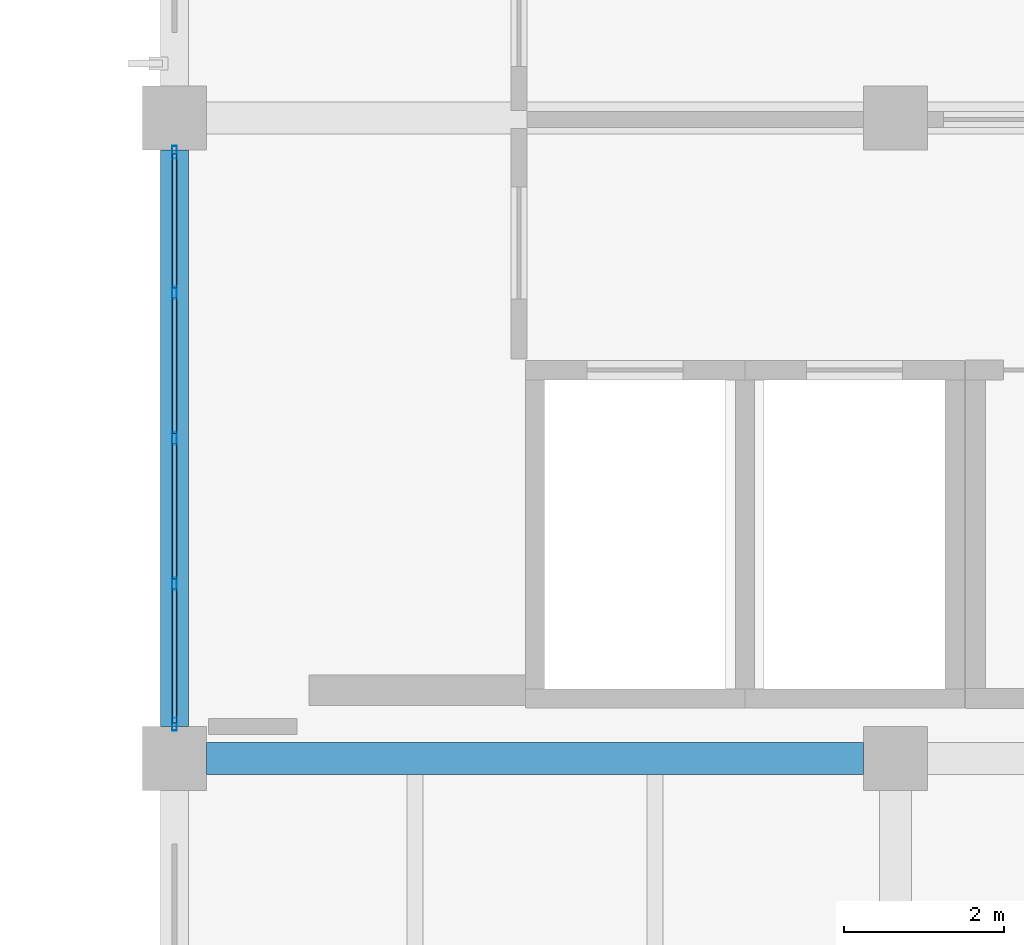
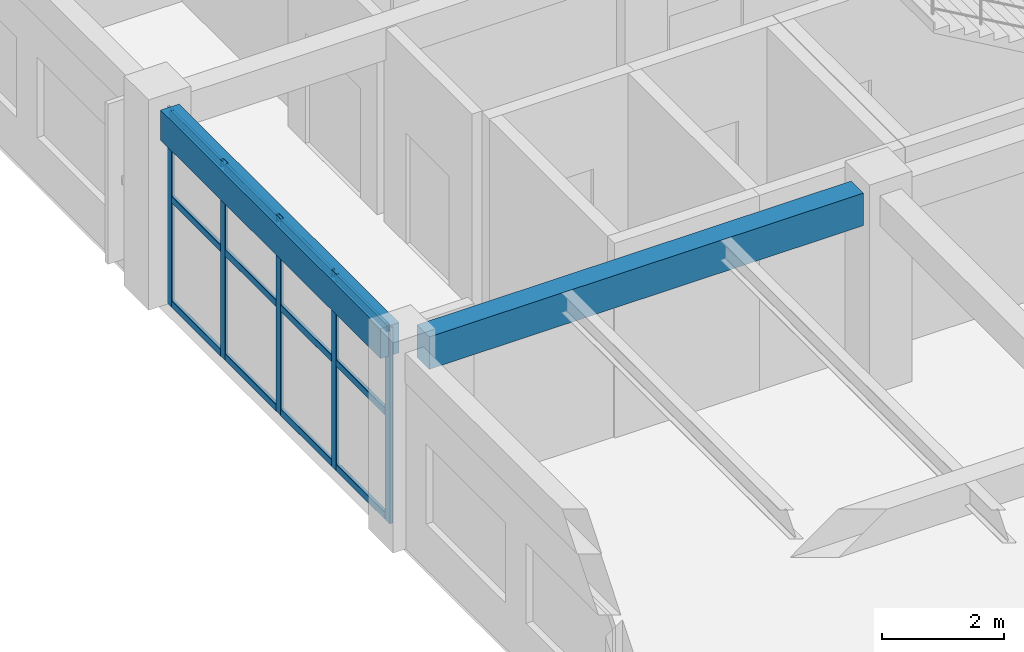
# One storey, part 96 of 148: 17 members, 2 beams, 1 element without a shape of its own.
"""IFC4 building model written with IfcOpenShell, lengths in metres."""

import ifcopenshell
import ifcopenshell.guid

model = None  # the IFC model being written
_history = None  # IfcOwnerHistory: only IFC2X3 demands one
_inside = {}  # id of a spatial element -> (the spatial element, [elements in it])
_under = {}  # id of a project, library or spatial element -> (it, [spatial elements below it])
_declared = {}  # id of a project -> (the project, [libraries it declares])
_typed = {}  # id of a type object -> (the type object, [elements of that type])
_made_of = {}  # id of a material, layer set ... -> (it, [elements and type objects made of it])


def new_model(schema):
    """Start an empty IFC model of exactly this schema.

    Asked for "IFC4X3", IfcOpenShell would pick the latest addendum, in which some entities
    have other attributes; the version numbers below select the first issue.
    IFC2X3 requires an IfcOwnerHistory on every rooted entity: one is made here for all.
    """
    global model, _history
    if schema == "IFC4X3":
        model = ifcopenshell.file(schema_version=(4, 3, 0, 0))
    else:
        model = ifcopenshell.file(schema=schema)
    _inside.clear()
    _under.clear()
    _declared.clear()
    _typed.clear()
    _made_of.clear()
    _history = None
    if model.schema == "IFC2X3":
        org = make("IfcOrganization", Name="unknown")
        user = make(
            "IfcPersonAndOrganization",
            ThePerson=make("IfcPerson", FamilyName="unknown"),
            TheOrganization=org,
        )
        app = make(
            "IfcApplication",
            ApplicationDeveloper=org,
            Version="unknown",
            ApplicationFullName="unknown",
            ApplicationIdentifier="unknown",
        )
        _history = make(
            "IfcOwnerHistory",
            OwningUser=user,
            OwningApplication=app,
            ChangeAction="ADDED",
            CreationDate=0,
        )
    return model


def make(cls, **values):
    """One entity of the class cls with the attributes given. An attribute that is None is left unset."""
    return model.create_entity(
        cls, **{name: value for name, value in values.items() if value is not None}
    )


def rooted(cls, **values):
    """An entity with a GlobalId (a new one), such as an element, a storey or a relation."""
    return make(cls, GlobalId=ifcopenshell.guid.new(), OwnerHistory=_history, **values)


def si_unit(unit_type, name, prefix=None):
    """IfcSIUnit, for example si_unit("LENGTHUNIT", "METRE", prefix="MILLI")."""
    return make("IfcSIUnit", UnitType=unit_type, Prefix=prefix, Name=name)


def derived_unit(unit_type, elements):
    """IfcDerivedUnit: a product of units, each with its exponent."""
    return make(
        "IfcDerivedUnit",
        Elements=[
            make("IfcDerivedUnitElement", Unit=unit, Exponent=power)
            for unit, power in elements
        ],
        UnitType=unit_type,
    )


def assignment(units):
    """IfcUnitAssignment: the units of a project."""
    return None if units is None else make("IfcUnitAssignment", Units=units)


def point(xyz):
    """IfcCartesianPoint."""
    return None if xyz is None else make("IfcCartesianPoint", Coordinates=xyz)


def direction(xyz):
    """IfcDirection."""
    return None if xyz is None else make("IfcDirection", DirectionRatios=xyz)


def frame(location, z_axis=None, x_axis=None):
    """IfcAxis2Placement3D, a coordinate frame: its origin and axes. An axis left out is left unset."""
    return make(
        "IfcAxis2Placement3D",
        Location=point(location),
        Axis=direction(z_axis),
        RefDirection=direction(x_axis),
    )


def frame_2d(location, x_axis=None):
    """IfcAxis2Placement2D, a coordinate frame in the plane: its origin and x axis."""
    return make(
        "IfcAxis2Placement2D", Location=point(location), RefDirection=direction(x_axis)
    )


def origin():
    """The frame at (0, 0, 0) with its axes left unset."""
    return frame((0.0, 0.0, 0.0))


def origin_2d():
    """The frame at (0, 0) in the plane with its x axis left unset."""
    return frame_2d((0.0, 0.0))


def place(relative_to, where):
    """IfcLocalPlacement: puts the frame where relative to a parent placement (None: the world)."""
    return make(
        "IfcLocalPlacement", PlacementRelTo=relative_to, RelativePlacement=where
    )


def context(
    kind, dimensions, precision=None, world=None, true_north=None, identifier=None
):
    """IfcGeometricRepresentationContext, for example the 3D "Model" context."""
    return make(
        "IfcGeometricRepresentationContext",
        ContextIdentifier=identifier,
        ContextType=kind,
        CoordinateSpaceDimension=dimensions,
        Precision=precision,
        WorldCoordinateSystem=world,
        TrueNorth=true_north,
    )


def subcontext(parent, identifier, kind, view, scale=None):
    """IfcGeometricRepresentationSubContext, for example "Body" below "Model"."""
    return make(
        "IfcGeometricRepresentationSubContext",
        ContextIdentifier=identifier,
        ContextType=kind,
        ParentContext=parent,
        TargetScale=scale,
        TargetView=view,
    )


def project(units=None, contexts=None):
    """IfcProject with its units and contexts."""
    return rooted(
        "IfcProject",
        Name="project",
        RepresentationContexts=contexts,
        UnitsInContext=assignment(units),
    )


def spatial(cls, under=None, at=None, **own):
    """A site, building, storey or space (cls), placed at a placement, below another one or the project."""
    s = rooted(cls, ObjectPlacement=at, **own)
    if under is not None:
        _under.setdefault(under.id(), (under, []))[1].append(s)
    return s


def profile(cls, at=None, kind="AREA", **sizes):
    """A parametric profile (cls). Its sizes go by their IFC names, for example OverallWidth=200.0."""
    return make(cls, ProfileType=kind, Position=at, **sizes)


def rectangle(**sizes):
    """IfcRectangleProfileDef."""
    return profile("IfcRectangleProfileDef", **sizes)


def hollow_rectangle(**sizes):
    """IfcRectangleHollowProfileDef."""
    return profile("IfcRectangleHollowProfileDef", **sizes)


def extrude(swept, where, along, depth):
    """IfcExtrudedAreaSolid: the profile swept, set in the frame where, extruded along a direction by depth."""
    return make(
        "IfcExtrudedAreaSolid",
        SweptArea=swept,
        Position=where,
        ExtrudedDirection=direction(along),
        Depth=depth,
    )


def shape(context_of_items, identifier, shape_type, items):
    """IfcShapeRepresentation: the items that make up one representation, for example the "Body"."""
    return make(
        "IfcShapeRepresentation",
        ContextOfItems=context_of_items,
        RepresentationIdentifier=identifier,
        RepresentationType=shape_type,
        Items=items,
    )


def material(Name=None, Category=None):
    """IfcMaterial."""
    return make("IfcMaterial", Name=Name, Category=Category)


def material_profile(
    of_material, cross_section, Name=None, Category=None, Priority=None
):
    """IfcMaterialProfile: a cross section and its material."""
    return make(
        "IfcMaterialProfile",
        Name=Name,
        Material=of_material,
        Profile=cross_section,
        Priority=Priority,
        Category=Category,
    )


def profile_set(profiles, Name=None, composite=None):
    """IfcMaterialProfileSet."""
    return make(
        "IfcMaterialProfileSet",
        Name=Name,
        MaterialProfiles=profiles,
        CompositeProfile=composite,
    )


def made_of(thing, what):
    """Note that an element or type object is made of a material, layer set ...; save() writes the relation."""
    if what is not None:
        _made_of.setdefault(what.id(), (what, []))[1].append(thing)
    return thing


def type_object(cls, material=None, **own):
    """A type object (cls), such as IfcWallType, which elements share."""
    return made_of(rooted(cls, **own), material)


def element(
    cls,
    number,
    at=None,
    inside=None,
    cuts=None,
    type_object=None,
    material=None,
    context=None,
    identifier="Body",
    shape_type=None,
    held_by="IfcProductDefinitionShape",
    body=None,
    shapes=None,
    **own,
):
    """One element of the class cls, such as IfcWall. Its Tag is "e" and its number.

    at: its placement. inside: the storey or other place that contains it. cuts: it is an
    opening in that element (IfcRelVoidsElement). A single representation is given by context,
    identifier, shape_type and body (its items); several are given by shapes. held_by: the class
    of the entity that holds the representations. save() writes the other relations.
    """
    e = rooted(cls, Tag="e%d" % number, ObjectPlacement=at, **own)
    if body is not None:
        shapes = [shape(context, identifier, shape_type, body)]
    if shapes is not None:
        e.Representation = make(held_by, Representations=shapes)
    if inside is not None:
        _inside.setdefault(inside.id(), (inside, []))[1].append(e)
    if cuts is not None:
        rooted(
            "IfcRelVoidsElement", RelatingBuildingElement=cuts, RelatedOpeningElement=e
        )
    if type_object is not None:
        _typed.setdefault(type_object.id(), (type_object, []))[1].append(e)
    return made_of(e, material)


def aggregate(whole, parts):
    """IfcRelAggregates: a whole, such as a stair, and the parts it consists of."""
    return rooted("IfcRelAggregates", RelatingObject=whole, RelatedObjects=parts)


def save(model, path):
    """Write the relations noted so far, then the file.

    IfcRelAggregates (storeys below a building ...), IfcRelContainedInSpatialStructure (elements
    in a storey), IfcRelDefinesByType, IfcRelAssociatesMaterial and IfcRelDeclares: one each for
    every whole, place, type object, material and project.
    """
    for whole, parts in _under.values():
        aggregate(whole, parts)
    for where, things in _inside.values():
        rooted(
            "IfcRelContainedInSpatialStructure",
            RelatedElements=things,
            RelatingStructure=where,
        )
    for kind, things in _typed.values():
        rooted("IfcRelDefinesByType", RelatedObjects=things, RelatingType=kind)
    for what, things in _made_of.values():
        rooted("IfcRelAssociatesMaterial", RelatedObjects=things, RelatingMaterial=what)
    for by, libraries in _declared.values():
        rooted("IfcRelDeclares", RelatingContext=by, RelatedDefinitions=libraries)
    model.write(path)


model = new_model("IFC4")

# Units and contexts
model_context = context("Model", 3, precision=1e-05, world=origin(), true_north=direction((0.0, 1.0)))
body_context = subcontext(model_context, "Body", "Model", "MODEL_VIEW")
ifc_project = project(units=[si_unit("LENGTHUNIT", "METRE"), si_unit("AREAUNIT", "SQUARE_METRE"), si_unit("VOLUMEUNIT", "CUBIC_METRE"), si_unit("PLANEANGLEUNIT", "RADIAN"), si_unit("MASSUNIT", "GRAM", prefix="KILO"), derived_unit("THERMALTRANSMITTANCEUNIT", [(si_unit("MASSUNIT", "GRAM", prefix="KILO"), 1), (si_unit("TIMEUNIT", "SECOND"), -3), (si_unit("THERMODYNAMICTEMPERATUREUNIT", "KELVIN"), -1)])], contexts=[model_context])

# Site, building, storey
site_placement = place(None, origin())
site = spatial("IfcSite", under=ifc_project, at=site_placement, CompositionType="ELEMENT")
building_placement = place(site_placement, origin())
building = spatial("IfcBuilding", under=site, at=building_placement, Name="Zhenchuan Archway Interchange", CompositionType="ELEMENT")
storey_placement = place(building_placement, frame((0.0, 0.0, 10.199951171875)))
storey = spatial("IfcBuildingStorey", under=building, at=storey_placement, Name="L02", CompositionType="ELEMENT", Elevation=10.199951171875)

# Beam
ifc_material_1 = material(Name="Concrete C40", Category="concrete")
ifc_material_profile_1 = material_profile(ifc_material_1, rectangle(XDim=0.39990234375, YDim=0.64990234375, at=origin_2d()), Name="RC 400x650")
ifc_profile_set_1 = profile_set([ifc_material_profile_1], Name="Concrete C40")
beam_type_1 = type_object("IfcBeamType", Name="BM_RC_400x650", PredefinedType="BEAM", material=ifc_profile_set_1)
beam_1_placement = place(storey_placement, frame((144.39990234375, 48.0, 3.594970703125), z_axis=(1.0, 0.0, 0.0), x_axis=(0.0, 1.0, 0.0)))
element("IfcBeam", 1, at=beam_1_placement, inside=storey, type_object=beam_type_1, Name="Beam G:17-18 (L02)", PredefinedType="BEAM", context=body_context, shape_type="SweptSolid", body=[
    extrude(rectangle(XDim=0.39990234375, YDim=0.64990234375, at=origin_2d()), origin(), (0.0, 0.0, 1.0), 8.2001953125),
])

# Curtain wall, members
ifc_material_2 = material(Name="Anodised Aluminium", Category="aluminium")
curtain_wall_type = type_object("IfcCurtainWallType", Name="CW_UNIT_1", PredefinedType="NOTDEFINED", material=ifc_material_2)
curtain_wall_placement = place(storey_placement, origin())
curtain_wall = element("IfcCurtainWall", 2, at=curtain_wall_placement, inside=storey, type_object=curtain_wall_type, Name="Unitised curtain wall CW:L02:164", PredefinedType="NOTDEFINED")
ifc_material_profile_2 = material_profile(ifc_material_2, hollow_rectangle(XDim=0.06005859375, YDim=0.159912109375, WallThickness=0.00390625, InnerFilletRadius=0.00390625, OuterFilletRadius=0.008056640625, at=origin_2d()), Name="ALU 160x60x4")
ifc_profile_set_2 = profile_set([ifc_material_profile_2], Name="Anodised Aluminium")
member_type_1 = type_object("IfcMemberType", Name="CW_MUL_150", PredefinedType="MULLION", material=ifc_profile_set_2)
member_1_placement = place(storey_placement, frame((144.0, 48.427978515625, 0.0), z_axis=(0.0, 0.0, 1.0), x_axis=(1.0, 0.0, 0.0)))
member_1 = element("IfcMember", 3, at=member_1_placement, type_object=member_type_1, Name="CW:L02:164 mullion 0", PredefinedType="MULLION", context=body_context, shape_type="SweptSolid", body=[
    extrude(hollow_rectangle(XDim=0.06005859375, YDim=0.159912109375, WallThickness=0.00390625, InnerFilletRadius=0.00390625, OuterFilletRadius=0.008056640625, at=origin_2d()), origin(), (0.0, 0.0, 1.0), 3.920166015625),
])
member_2_placement = place(storey_placement, frame((144.0, 50.18408203125, 0.0), z_axis=(0.0, 0.0, 1.0), x_axis=(1.0, 0.0, 0.0)))
member_2 = element("IfcMember", 4, at=member_2_placement, type_object=member_type_1, Name="CW:L02:164 mullion 1", PredefinedType="MULLION", context=body_context, shape_type="SweptSolid", body=[
    extrude(hollow_rectangle(XDim=0.06005859375, YDim=0.159912109375, WallThickness=0.00390625, InnerFilletRadius=0.00390625, OuterFilletRadius=0.008056640625, at=origin_2d()), origin(), (0.0, 0.0, 1.0), 3.920166015625),
])
member_3_placement = place(storey_placement, frame((144.0, 52.0, 0.0), z_axis=(0.0, 0.0, 1.0), x_axis=(1.0, 0.0, 0.0)))
member_3 = element("IfcMember", 5, at=member_3_placement, type_object=member_type_1, Name="CW:L02:164 mullion 2", PredefinedType="MULLION", context=body_context, shape_type="SweptSolid", body=[
    extrude(hollow_rectangle(XDim=0.06005859375, YDim=0.159912109375, WallThickness=0.00390625, InnerFilletRadius=0.00390625, OuterFilletRadius=0.008056640625, at=origin_2d()), origin(), (0.0, 0.0, 1.0), 3.920166015625),
])
member_4_placement = place(storey_placement, frame((144.0, 53.81591796875, 0.0), z_axis=(0.0, 0.0, 1.0), x_axis=(1.0, 0.0, 0.0)))
member_4 = element("IfcMember", 6, at=member_4_placement, type_object=member_type_1, Name="CW:L02:164 mullion 3", PredefinedType="MULLION", context=body_context, shape_type="SweptSolid", body=[
    extrude(hollow_rectangle(XDim=0.06005859375, YDim=0.159912109375, WallThickness=0.00390625, InnerFilletRadius=0.00390625, OuterFilletRadius=0.008056640625, at=origin_2d()), origin(), (0.0, 0.0, 1.0), 3.920166015625),
])
member_5_placement = place(storey_placement, frame((144.0, 55.572021484375, 0.0), z_axis=(0.0, 0.0, 1.0), x_axis=(1.0, 0.0, 0.0)))
member_5 = element("IfcMember", 7, at=member_5_placement, type_object=member_type_1, Name="CW:L02:164 mullion 4", PredefinedType="MULLION", context=body_context, shape_type="SweptSolid", body=[
    extrude(hollow_rectangle(XDim=0.06005859375, YDim=0.159912109375, WallThickness=0.00390625, InnerFilletRadius=0.00390625, OuterFilletRadius=0.008056640625, at=origin_2d()), origin(), (0.0, 0.0, 1.0), 3.920166015625),
])
ifc_material_profile_3 = material_profile(ifc_material_2, hollow_rectangle(XDim=0.06005859375, YDim=0.139892578125, WallThickness=0.00341796875, InnerFilletRadius=0.00341796875, OuterFilletRadius=0.007080078125, at=origin_2d()), Name="ALU 140x60x3.5")
ifc_profile_set_3 = profile_set([ifc_material_profile_3], Name="Anodised Aluminium")
member_type_2 = type_object("IfcMemberType", Name="CW_TRN_140", PredefinedType="USERDEFINED", material=ifc_profile_set_3)
member_6_placement = place(storey_placement, frame((144.0, 48.447998046875, 0.06005859375), z_axis=(0.0, 1.0, 0.0), x_axis=(-1.0, 0.0, 0.0)))
member_6 = element("IfcMember", 8, at=member_6_placement, type_object=member_type_2, Name="CW:L02:164 transom 0-1", ObjectType="TRANSOM", PredefinedType="USERDEFINED", context=body_context, shape_type="SweptSolid", body=[
    extrude(hollow_rectangle(XDim=0.06005859375, YDim=0.139892578125, WallThickness=0.00341796875, InnerFilletRadius=0.00341796875, OuterFilletRadius=0.007080078125, at=origin_2d()), origin(), (0.0, 0.0, 1.0), 1.676025390625),
])
member_7_placement = place(storey_placement, frame((144.0, 48.447998046875, 2.14501953125), z_axis=(0.0, 1.0, 0.0), x_axis=(-1.0, 0.0, 0.0)))
member_7 = element("IfcMember", 9, at=member_7_placement, type_object=member_type_2, Name="CW:L02:164 transom 0-2", ObjectType="TRANSOM", PredefinedType="USERDEFINED", context=body_context, shape_type="SweptSolid", body=[
    extrude(hollow_rectangle(XDim=0.06005859375, YDim=0.139892578125, WallThickness=0.00341796875, InnerFilletRadius=0.00341796875, OuterFilletRadius=0.007080078125, at=origin_2d()), origin(), (0.0, 0.0, 1.0), 1.676025390625),
])
member_8_placement = place(storey_placement, frame((144.0, 48.447998046875, 3.840087890625), z_axis=(0.0, 1.0, 0.0), x_axis=(-1.0, 0.0, 0.0)))
member_8 = element("IfcMember", 10, at=member_8_placement, type_object=member_type_2, Name="CW:L02:164 transom 0-3", ObjectType="TRANSOM", PredefinedType="USERDEFINED", context=body_context, shape_type="SweptSolid", body=[
    extrude(hollow_rectangle(XDim=0.06005859375, YDim=0.139892578125, WallThickness=0.00341796875, InnerFilletRadius=0.00341796875, OuterFilletRadius=0.007080078125, at=origin_2d()), origin(), (0.0, 0.0, 1.0), 1.676025390625),
])
member_9_placement = place(storey_placement, frame((144.0, 50.243896484375, 0.06005859375), z_axis=(0.0, 1.0, 0.0), x_axis=(-1.0, 0.0, 0.0)))
member_9 = element("IfcMember", 11, at=member_9_placement, type_object=member_type_2, Name="CW:L02:164 transom 1-1", ObjectType="TRANSOM", PredefinedType="USERDEFINED", context=body_context, shape_type="SweptSolid", body=[
    extrude(hollow_rectangle(XDim=0.06005859375, YDim=0.139892578125, WallThickness=0.00341796875, InnerFilletRadius=0.00341796875, OuterFilletRadius=0.007080078125, at=origin_2d()), origin(), (0.0, 0.0, 1.0), 1.696044921875),
])
member_10_placement = place(storey_placement, frame((144.0, 50.243896484375, 2.14501953125), z_axis=(0.0, 1.0, 0.0), x_axis=(-1.0, 0.0, 0.0)))
member_10 = element("IfcMember", 12, at=member_10_placement, type_object=member_type_2, Name="CW:L02:164 transom 1-2", ObjectType="TRANSOM", PredefinedType="USERDEFINED", context=body_context, shape_type="SweptSolid", body=[
    extrude(hollow_rectangle(XDim=0.06005859375, YDim=0.139892578125, WallThickness=0.00341796875, InnerFilletRadius=0.00341796875, OuterFilletRadius=0.007080078125, at=origin_2d()), origin(), (0.0, 0.0, 1.0), 1.696044921875),
])
member_11_placement = place(storey_placement, frame((144.0, 50.243896484375, 3.840087890625), z_axis=(0.0, 1.0, 0.0), x_axis=(-1.0, 0.0, 0.0)))
member_11 = element("IfcMember", 13, at=member_11_placement, type_object=member_type_2, Name="CW:L02:164 transom 1-3", ObjectType="TRANSOM", PredefinedType="USERDEFINED", context=body_context, shape_type="SweptSolid", body=[
    extrude(hollow_rectangle(XDim=0.06005859375, YDim=0.139892578125, WallThickness=0.00341796875, InnerFilletRadius=0.00341796875, OuterFilletRadius=0.007080078125, at=origin_2d()), origin(), (0.0, 0.0, 1.0), 1.696044921875),
])
member_12_placement = place(storey_placement, frame((144.0, 52.06005859375, 0.06005859375), z_axis=(0.0, 1.0, 0.0), x_axis=(-1.0, 0.0, 0.0)))
member_12 = element("IfcMember", 14, at=member_12_placement, type_object=member_type_2, Name="CW:L02:164 transom 2-1", ObjectType="TRANSOM", PredefinedType="USERDEFINED", context=body_context, shape_type="SweptSolid", body=[
    extrude(hollow_rectangle(XDim=0.06005859375, YDim=0.139892578125, WallThickness=0.00341796875, InnerFilletRadius=0.00341796875, OuterFilletRadius=0.007080078125, at=origin_2d()), origin(), (0.0, 0.0, 1.0), 1.696044921875),
])
member_13_placement = place(storey_placement, frame((144.0, 52.06005859375, 2.14501953125), z_axis=(0.0, 1.0, 0.0), x_axis=(-1.0, 0.0, 0.0)))
member_13 = element("IfcMember", 15, at=member_13_placement, type_object=member_type_2, Name="CW:L02:164 transom 2-2", ObjectType="TRANSOM", PredefinedType="USERDEFINED", context=body_context, shape_type="SweptSolid", body=[
    extrude(hollow_rectangle(XDim=0.06005859375, YDim=0.139892578125, WallThickness=0.00341796875, InnerFilletRadius=0.00341796875, OuterFilletRadius=0.007080078125, at=origin_2d()), origin(), (0.0, 0.0, 1.0), 1.696044921875),
])
member_14_placement = place(storey_placement, frame((144.0, 52.06005859375, 3.840087890625), z_axis=(0.0, 1.0, 0.0), x_axis=(-1.0, 0.0, 0.0)))
member_14 = element("IfcMember", 16, at=member_14_placement, type_object=member_type_2, Name="CW:L02:164 transom 2-3", ObjectType="TRANSOM", PredefinedType="USERDEFINED", context=body_context, shape_type="SweptSolid", body=[
    extrude(hollow_rectangle(XDim=0.06005859375, YDim=0.139892578125, WallThickness=0.00341796875, InnerFilletRadius=0.00341796875, OuterFilletRadius=0.007080078125, at=origin_2d()), origin(), (0.0, 0.0, 1.0), 1.696044921875),
])
member_15_placement = place(storey_placement, frame((144.0, 53.8759765625, 0.06005859375), z_axis=(0.0, 1.0, 0.0), x_axis=(-1.0, 0.0, 0.0)))
member_15 = element("IfcMember", 17, at=member_15_placement, type_object=member_type_2, Name="CW:L02:164 transom 3-1", ObjectType="TRANSOM", PredefinedType="USERDEFINED", context=body_context, shape_type="SweptSolid", body=[
    extrude(hollow_rectangle(XDim=0.06005859375, YDim=0.139892578125, WallThickness=0.00341796875, InnerFilletRadius=0.00341796875, OuterFilletRadius=0.007080078125, at=origin_2d()), origin(), (0.0, 0.0, 1.0), 1.676025390625),
])
member_16_placement = place(storey_placement, frame((144.0, 53.8759765625, 2.14501953125), z_axis=(0.0, 1.0, 0.0), x_axis=(-1.0, 0.0, 0.0)))
member_16 = element("IfcMember", 18, at=member_16_placement, type_object=member_type_2, Name="CW:L02:164 transom 3-2", ObjectType="TRANSOM", PredefinedType="USERDEFINED", context=body_context, shape_type="SweptSolid", body=[
    extrude(hollow_rectangle(XDim=0.06005859375, YDim=0.139892578125, WallThickness=0.00341796875, InnerFilletRadius=0.00341796875, OuterFilletRadius=0.007080078125, at=origin_2d()), origin(), (0.0, 0.0, 1.0), 1.676025390625),
])
member_17_placement = place(storey_placement, frame((144.0, 53.8759765625, 3.840087890625), z_axis=(0.0, 1.0, 0.0), x_axis=(-1.0, 0.0, 0.0)))
member_17 = element("IfcMember", 19, at=member_17_placement, type_object=member_type_2, Name="CW:L02:164 transom 3-3", ObjectType="TRANSOM", PredefinedType="USERDEFINED", context=body_context, shape_type="SweptSolid", body=[
    extrude(hollow_rectangle(XDim=0.06005859375, YDim=0.139892578125, WallThickness=0.00341796875, InnerFilletRadius=0.00341796875, OuterFilletRadius=0.007080078125, at=origin_2d()), origin(), (0.0, 0.0, 1.0), 1.676025390625),
])
aggregate(curtain_wall, [member_1, member_2, member_3, member_4, member_5, member_6, member_7, member_8, member_9, member_10, member_11, member_12, member_13, member_14, member_15, member_16, member_17])

# Beam
ifc_material_profile_4 = material_profile(ifc_material_1, rectangle(XDim=0.35009765625, YDim=0.60009765625, at=origin_2d()), Name="RC 350x600")
ifc_profile_set_4 = profile_set([ifc_material_profile_4], Name="Concrete C40")
beam_type_2 = type_object("IfcBeamType", Name="SP_RC_350x600", PredefinedType="SPANDREL", material=ifc_profile_set_4)
beam_2_placement = place(storey_placement, frame((144.0, 48.39990234375, 3.6201171875), z_axis=(0.0, 1.0, 0.0), x_axis=(-1.0, 0.0, 0.0)))
element("IfcBeam", 20, at=beam_2_placement, inside=storey, type_object=beam_type_2, Name="Beam 17:G-H (L02)", PredefinedType="SPANDREL", context=body_context, shape_type="SweptSolid", body=[
    extrude(rectangle(XDim=0.35009765625, YDim=0.60009765625, at=origin_2d()), origin(), (0.0, 0.0, 1.0), 7.2001953125),
])

save(model, "model.ifc")
